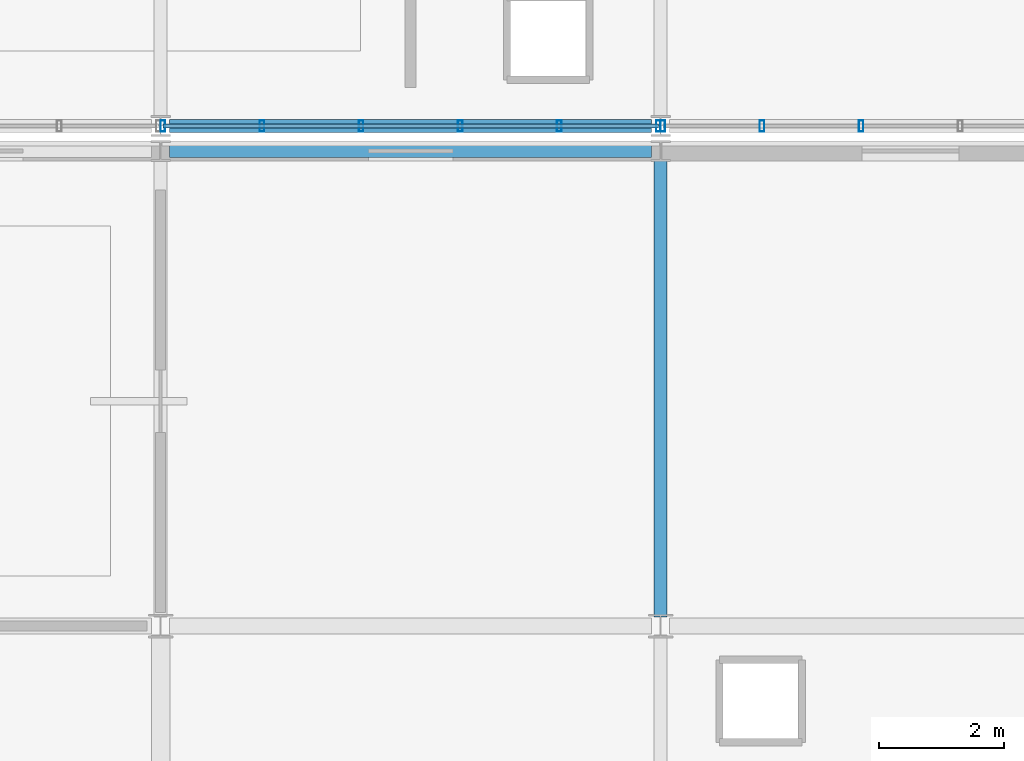
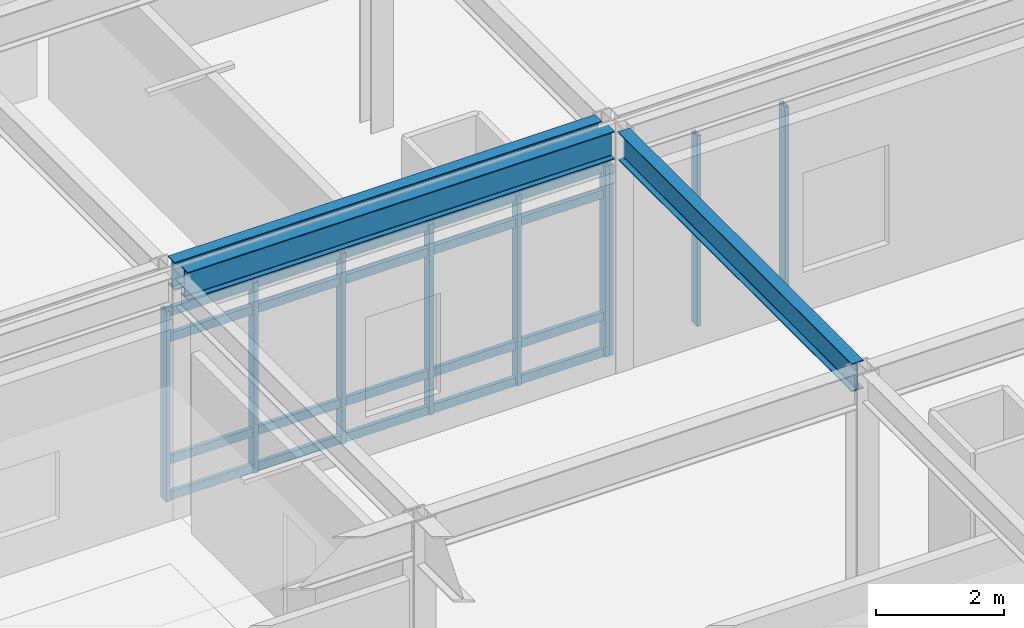
# One storey, part 64 of 104: 13 members, 3 beams, 2 elements without a shape of their own.
"""IFC4 building model written with IfcOpenShell, lengths in metres."""

from ifc_helpers import new_model, si_unit, direction, frame, origin, origin_2d, place, context, subcontext, project, spatial, hollow_rectangle, i_section, extrude, material, material_profile, profile_set, type_object, element, aggregate, save


model = new_model("IFC4")

# Units and contexts
model_context = context("Model", 3, precision=1e-05, world=origin(), true_north=direction((0.0, 1.0)))
body_context = subcontext(model_context, "Body", "Model", "MODEL_VIEW")
ifc_project = project(units=[si_unit("LENGTHUNIT", "METRE"), si_unit("AREAUNIT", "SQUARE_METRE"), si_unit("VOLUMEUNIT", "CUBIC_METRE"), si_unit("PLANEANGLEUNIT", "RADIAN"), si_unit("MASSUNIT", "GRAM", prefix="KILO")], contexts=[model_context])

# Site, building, storey
site_placement = place(None, origin())
site = spatial("IfcSite", under=ifc_project, at=site_placement, CompositionType="ELEMENT")
building_placement = place(site_placement, origin())
building = spatial("IfcBuilding", under=site, at=building_placement, Name="Zulena Civic Courthouse", CompositionType="ELEMENT")
storey_placement = place(building_placement, frame((0.0, 0.0, 15.60009765625)))
storey = spatial("IfcBuildingStorey", under=building, at=storey_placement, Name="L03", CompositionType="ELEMENT", Elevation=15.60009765625)

# Curtain wall, members
ifc_material_1 = material(Name="Double-silver low-E laminated solar-control glass", Category="glass")
curtain_wall_type = type_object("IfcCurtainWallType", Name="CW_7928x3635", PredefinedType="USERDEFINED", material=ifc_material_1)
curtain_wall_1_placement = place(storey_placement, origin())
curtain_wall_1 = element("IfcCurtainWall", 1, at=curtain_wall_1_placement, inside=storey, type_object=curtain_wall_type, Name="cw:V3:L03:3:1", ObjectType="UNITISED CURTAIN WALL", PredefinedType="USERDEFINED")
ifc_material_2 = material(Name="Bronze anodised thermally broken aluminium AA6063-T6", Category="aluminium")
ifc_material_profile_1 = material_profile(ifc_material_2, hollow_rectangle(XDim=0.074951171875, YDim=0.179931640625, WallThickness=0.0048828125, at=origin_2d()), Name="CWM180X75X5")
ifc_profile_set_1 = profile_set([ifc_material_profile_1], Name="Bronze anodised thermally broken aluminium AA6063-T6")
member_type_1 = type_object("IfcMemberType", Name="CWMullion_180x75", PredefinedType="MULLION", material=ifc_profile_set_1)
member_1_placement = place(storey_placement, frame((159.207275390625, 30.800048828125, 0.0), z_axis=(0.0, 0.0, 1.0), x_axis=(1.0, 0.0, 0.0)))
member_1 = element("IfcMember", 2, at=member_1_placement, type_object=member_type_1, Name="cw:V3:L03:3:1:mull:3", PredefinedType="MULLION", context=body_context, shape_type="SweptSolid", body=[
    extrude(hollow_rectangle(XDim=0.074951171875, YDim=0.179931640625, WallThickness=0.0048828125, at=origin_2d()), origin(), (0.0, 0.0, 1.0), 3.635009765625),
])
member_2_placement = place(storey_placement, frame((157.62158203125, 30.800048828125, 0.0), z_axis=(0.0, 0.0, 1.0), x_axis=(1.0, 0.0, 0.0)))
member_2 = element("IfcMember", 3, at=member_2_placement, type_object=member_type_1, Name="cw:V3:L03:3:1:mull:4", PredefinedType="MULLION", context=body_context, shape_type="SweptSolid", body=[
    extrude(hollow_rectangle(XDim=0.074951171875, YDim=0.179931640625, WallThickness=0.0048828125, at=origin_2d()), origin(), (0.0, 0.0, 1.0), 3.635009765625),
])
member_3_placement = place(storey_placement, frame((156.035888671875, 30.800048828125, 0.0), z_axis=(0.0, 0.0, 1.0), x_axis=(1.0, 0.0, 0.0)))
member_3 = element("IfcMember", 4, at=member_3_placement, type_object=member_type_1, Name="cw:V3:L03:3:1:mull:5", PredefinedType="MULLION", context=body_context, shape_type="SweptSolid", body=[
    extrude(hollow_rectangle(XDim=0.074951171875, YDim=0.179931640625, WallThickness=0.0048828125, at=origin_2d()), origin(), (0.0, 0.0, 1.0), 3.635009765625),
])
aggregate(curtain_wall_1, [member_1, member_2, member_3])

curtain_wall_2_placement = place(storey_placement, origin())
curtain_wall_2 = element("IfcCurtainWall", 5, at=curtain_wall_2_placement, inside=storey, type_object=curtain_wall_type, Name="cw:V3:L03:3:2", ObjectType="UNITISED CURTAIN WALL", PredefinedType="USERDEFINED")
member_4_placement = place(storey_placement, frame((155.964111328125, 30.800048828125, 0.0), z_axis=(0.0, 0.0, 1.0), x_axis=(1.0, 0.0, 0.0)))
member_4 = element("IfcMember", 6, at=member_4_placement, type_object=member_type_1, Name="cw:V3:L03:3:2:mull:0", PredefinedType="MULLION", context=body_context, shape_type="SweptSolid", body=[
    extrude(hollow_rectangle(XDim=0.074951171875, YDim=0.179931640625, WallThickness=0.0048828125, at=origin_2d()), origin(), (0.0, 0.0, 1.0), 3.635009765625),
])
member_5_placement = place(storey_placement, frame((154.37841796875, 30.800048828125, 0.0), z_axis=(0.0, 0.0, 1.0), x_axis=(1.0, 0.0, 0.0)))
member_5 = element("IfcMember", 7, at=member_5_placement, type_object=member_type_1, Name="cw:V3:L03:3:2:mull:1", PredefinedType="MULLION", context=body_context, shape_type="SweptSolid", body=[
    extrude(hollow_rectangle(XDim=0.074951171875, YDim=0.179931640625, WallThickness=0.0048828125, at=origin_2d()), origin(), (0.0, 0.0, 1.0), 3.635009765625),
])
member_6_placement = place(storey_placement, frame((152.792724609375, 30.800048828125, 0.0), z_axis=(0.0, 0.0, 1.0), x_axis=(1.0, 0.0, 0.0)))
member_6 = element("IfcMember", 8, at=member_6_placement, type_object=member_type_1, Name="cw:V3:L03:3:2:mull:2", PredefinedType="MULLION", context=body_context, shape_type="SweptSolid", body=[
    extrude(hollow_rectangle(XDim=0.074951171875, YDim=0.179931640625, WallThickness=0.0048828125, at=origin_2d()), origin(), (0.0, 0.0, 1.0), 3.635009765625),
])
member_7_placement = place(storey_placement, frame((151.207275390625, 30.800048828125, 0.0), z_axis=(0.0, 0.0, 1.0), x_axis=(1.0, 0.0, 0.0)))
member_7 = element("IfcMember", 9, at=member_7_placement, type_object=member_type_1, Name="cw:V3:L03:3:2:mull:3", PredefinedType="MULLION", context=body_context, shape_type="SweptSolid", body=[
    extrude(hollow_rectangle(XDim=0.074951171875, YDim=0.179931640625, WallThickness=0.0048828125, at=origin_2d()), origin(), (0.0, 0.0, 1.0), 3.635009765625),
])
member_8_placement = place(storey_placement, frame((149.62158203125, 30.800048828125, 0.0), z_axis=(0.0, 0.0, 1.0), x_axis=(1.0, 0.0, 0.0)))
member_8 = element("IfcMember", 10, at=member_8_placement, type_object=member_type_1, Name="cw:V3:L03:3:2:mull:4", PredefinedType="MULLION", context=body_context, shape_type="SweptSolid", body=[
    extrude(hollow_rectangle(XDim=0.074951171875, YDim=0.179931640625, WallThickness=0.0048828125, at=origin_2d()), origin(), (0.0, 0.0, 1.0), 3.635009765625),
])
member_9_placement = place(storey_placement, frame((148.035888671875, 30.800048828125, 0.0), z_axis=(0.0, 0.0, 1.0), x_axis=(1.0, 0.0, 0.0)))
member_9 = element("IfcMember", 11, at=member_9_placement, type_object=member_type_1, Name="cw:V3:L03:3:2:mull:5", PredefinedType="MULLION", context=body_context, shape_type="SweptSolid", body=[
    extrude(hollow_rectangle(XDim=0.074951171875, YDim=0.179931640625, WallThickness=0.0048828125, at=origin_2d()), origin(), (0.0, 0.0, 1.0), 3.635009765625),
])
ifc_material_profile_2 = material_profile(ifc_material_2, hollow_rectangle(XDim=0.070068359375, YDim=0.1650390625, WallThickness=0.00390625, at=origin_2d()), Name="CWT165X70X4")
ifc_profile_set_2 = profile_set([ifc_material_profile_2], Name="Bronze anodised thermally broken aluminium AA6063-T6")
member_type_2 = type_object("IfcMemberType", Name="CWTransom_165x70", PredefinedType="USERDEFINED", material=ifc_profile_set_2)
member_10_placement = place(storey_placement, frame((155.964111328125, 30.800048828125, 0.059814453125), z_axis=(-1.0, 0.0, 0.0), x_axis=(0.0, -1.0, 0.0)))
member_10 = element("IfcMember", 12, at=member_10_placement, type_object=member_type_2, Name="cw:V3:L03:3:2:tran:0", ObjectType="TRANSOM", PredefinedType="USERDEFINED", context=body_context, shape_type="SweptSolid", body=[
    extrude(hollow_rectangle(XDim=0.070068359375, YDim=0.1650390625, WallThickness=0.00390625, at=origin_2d()), origin(), (0.0, 0.0, 1.0), 7.92822265625),
])
member_11_placement = place(storey_placement, frame((155.964111328125, 30.800048828125, 0.75), z_axis=(-1.0, 0.0, 0.0), x_axis=(0.0, -1.0, 0.0)))
member_11 = element("IfcMember", 13, at=member_11_placement, type_object=member_type_2, Name="cw:V3:L03:3:2:tran:1", ObjectType="TRANSOM", PredefinedType="USERDEFINED", context=body_context, shape_type="SweptSolid", body=[
    extrude(hollow_rectangle(XDim=0.070068359375, YDim=0.1650390625, WallThickness=0.00390625, at=origin_2d()), origin(), (0.0, 0.0, 1.0), 7.92822265625),
])
member_12_placement = place(storey_placement, frame((155.964111328125, 30.800048828125, 3.0849609375), z_axis=(-1.0, 0.0, 0.0), x_axis=(0.0, -1.0, 0.0)))
member_12 = element("IfcMember", 14, at=member_12_placement, type_object=member_type_2, Name="cw:V3:L03:3:2:tran:2", ObjectType="TRANSOM", PredefinedType="USERDEFINED", context=body_context, shape_type="SweptSolid", body=[
    extrude(hollow_rectangle(XDim=0.070068359375, YDim=0.1650390625, WallThickness=0.00390625, at=origin_2d()), origin(), (0.0, 0.0, 1.0), 7.92822265625),
])
member_13_placement = place(storey_placement, frame((155.964111328125, 30.800048828125, 3.574951171875), z_axis=(-1.0, 0.0, 0.0), x_axis=(0.0, -1.0, 0.0)))
member_13 = element("IfcMember", 15, at=member_13_placement, type_object=member_type_2, Name="cw:V3:L03:3:2:tran:3", ObjectType="TRANSOM", PredefinedType="USERDEFINED", context=body_context, shape_type="SweptSolid", body=[
    extrude(hollow_rectangle(XDim=0.070068359375, YDim=0.1650390625, WallThickness=0.00390625, at=origin_2d()), origin(), (0.0, 0.0, 1.0), 7.92822265625),
])
aggregate(curtain_wall_2, [member_4, member_5, member_6, member_7, member_8, member_9, member_10, member_11, member_12, member_13])

# Beams
ifc_material_3 = material(Name="Steel ASTM A992 Grade 50", Category="steel")
ifc_material_profile_3 = material_profile(ifc_material_3, i_section(OverallWidth=0.2099609375, OverallDepth=0.537109375, WebThickness=0.010986328125, FlangeThickness=0.017333984375, FilletRadius=0.0126953125, at=origin_2d()), Name="W21X68")
ifc_profile_set_3 = profile_set([ifc_material_profile_3], Name="Steel ASTM A992 Grade 50")
beam_type = type_object("IfcBeamType", Name="Spandrel_W21X68", PredefinedType="SPANDREL", material=ifc_profile_set_3)
beam_1_placement = place(storey_placement, frame((148.14501953125, 30.39990234375, 4.326416015625), z_axis=(1.0, 0.0, 0.0), x_axis=(0.0, 1.0, 0.0)))
element("IfcBeam", 16, at=beam_1_placement, inside=storey, type_object=beam_type, Name="beam:X:V1:L03:30.4:148.0_156.0", PredefinedType="SPANDREL", context=body_context, shape_type="SweptSolid", body=[
    extrude(i_section(OverallWidth=0.2099609375, OverallDepth=0.537109375, WebThickness=0.010986328125, FlangeThickness=0.017333984375, FilletRadius=0.0126953125, at=origin_2d()), origin(), (0.0, 0.0, 1.0), 7.7099609375),
])
beam_2_placement = place(storey_placement, frame((156.0, 22.945068359375, 4.326416015625), z_axis=(0.0, 1.0, 0.0), x_axis=(-1.0, 0.0, 0.0)))
element("IfcBeam", 17, at=beam_2_placement, inside=storey, type_object=beam_type, Name="beam:Y:V1:L03:156.0:22.8_30.4", PredefinedType="SPANDREL", context=body_context, shape_type="SweptSolid", body=[
    extrude(i_section(OverallWidth=0.2099609375, OverallDepth=0.537109375, WebThickness=0.010986328125, FlangeThickness=0.017333984375, FilletRadius=0.0126953125, at=origin_2d()), origin(), (0.0, 0.0, 1.0), 7.309814453125),
])
beam_3_placement = place(storey_placement, frame((148.14501953125, 30.800048828125, 4.2763671875), z_axis=(1.0, 0.0, 0.0), x_axis=(0.0, 1.0, 0.0)))
element("IfcBeam", 18, at=beam_3_placement, inside=storey, type_object=beam_type, Name="beam:X:V3:L03:30.8:148.0_156.0", PredefinedType="SPANDREL", context=body_context, shape_type="SweptSolid", body=[
    extrude(i_section(OverallWidth=0.2099609375, OverallDepth=0.537109375, WebThickness=0.010986328125, FlangeThickness=0.017333984375, FilletRadius=0.0126953125, at=origin_2d()), origin(), (0.0, 0.0, 1.0), 7.7099609375),
])

save(model, "model.ifc")
